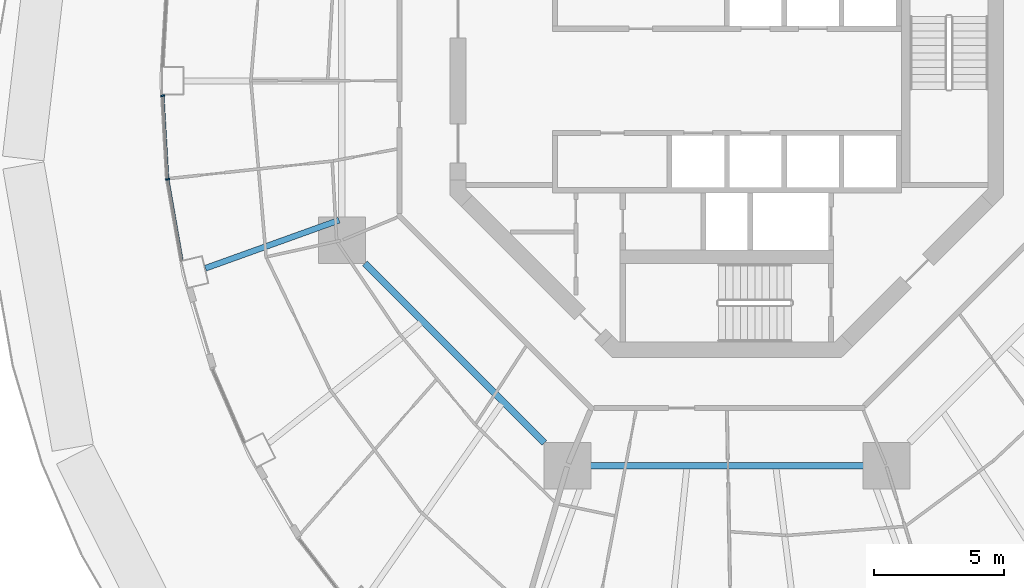
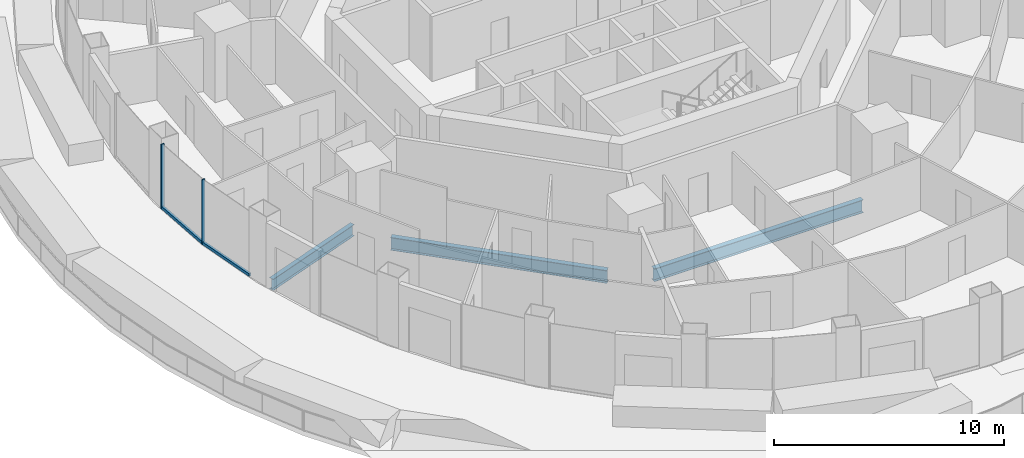
# One storey, part 3 of 20: 4 members, 3 beams, 2 elements without a shape of their own.
"""IFC4 building model written with IfcOpenShell, lengths in metres."""

import ifcopenshell
import ifcopenshell.guid

model = None  # the IFC model being written
_history = None  # IfcOwnerHistory: only IFC2X3 demands one
_inside = {}  # id of a spatial element -> (the spatial element, [elements in it])
_under = {}  # id of a project, library or spatial element -> (it, [spatial elements below it])
_declared = {}  # id of a project -> (the project, [libraries it declares])
_typed = {}  # id of a type object -> (the type object, [elements of that type])
_made_of = {}  # id of a material, layer set ... -> (it, [elements and type objects made of it])


def new_model(schema):
    """Start an empty IFC model of exactly this schema.

    Asked for "IFC4X3", IfcOpenShell would pick the latest addendum, in which some entities
    have other attributes; the version numbers below select the first issue.
    IFC2X3 requires an IfcOwnerHistory on every rooted entity: one is made here for all.
    """
    global model, _history
    if schema == "IFC4X3":
        model = ifcopenshell.file(schema_version=(4, 3, 0, 0))
    else:
        model = ifcopenshell.file(schema=schema)
    _inside.clear()
    _under.clear()
    _declared.clear()
    _typed.clear()
    _made_of.clear()
    _history = None
    if model.schema == "IFC2X3":
        org = make("IfcOrganization", Name="unknown")
        user = make(
            "IfcPersonAndOrganization",
            ThePerson=make("IfcPerson", FamilyName="unknown"),
            TheOrganization=org,
        )
        app = make(
            "IfcApplication",
            ApplicationDeveloper=org,
            Version="unknown",
            ApplicationFullName="unknown",
            ApplicationIdentifier="unknown",
        )
        _history = make(
            "IfcOwnerHistory",
            OwningUser=user,
            OwningApplication=app,
            ChangeAction="ADDED",
            CreationDate=0,
        )
    return model


def make(cls, **values):
    """One entity of the class cls with the attributes given. An attribute that is None is left unset."""
    return model.create_entity(
        cls, **{name: value for name, value in values.items() if value is not None}
    )


def rooted(cls, **values):
    """An entity with a GlobalId (a new one), such as an element, a storey or a relation."""
    return make(cls, GlobalId=ifcopenshell.guid.new(), OwnerHistory=_history, **values)


def si_unit(unit_type, name, prefix=None):
    """IfcSIUnit, for example si_unit("LENGTHUNIT", "METRE", prefix="MILLI")."""
    return make("IfcSIUnit", UnitType=unit_type, Prefix=prefix, Name=name)


def assignment(units):
    """IfcUnitAssignment: the units of a project."""
    return None if units is None else make("IfcUnitAssignment", Units=units)


def point(xyz):
    """IfcCartesianPoint."""
    return None if xyz is None else make("IfcCartesianPoint", Coordinates=xyz)


def direction(xyz):
    """IfcDirection."""
    return None if xyz is None else make("IfcDirection", DirectionRatios=xyz)


def frame(location, z_axis=None, x_axis=None):
    """IfcAxis2Placement3D, a coordinate frame: its origin and axes. An axis left out is left unset."""
    return make(
        "IfcAxis2Placement3D",
        Location=point(location),
        Axis=direction(z_axis),
        RefDirection=direction(x_axis),
    )


def frame_2d(location, x_axis=None):
    """IfcAxis2Placement2D, a coordinate frame in the plane: its origin and x axis."""
    return make(
        "IfcAxis2Placement2D", Location=point(location), RefDirection=direction(x_axis)
    )


def origin():
    """The frame at (0, 0, 0) with its axes left unset."""
    return frame((0.0, 0.0, 0.0))


def origin_2d():
    """The frame at (0, 0) in the plane with its x axis left unset."""
    return frame_2d((0.0, 0.0))


def place(relative_to, where):
    """IfcLocalPlacement: puts the frame where relative to a parent placement (None: the world)."""
    return make(
        "IfcLocalPlacement", PlacementRelTo=relative_to, RelativePlacement=where
    )


def context(
    kind, dimensions, precision=None, world=None, true_north=None, identifier=None
):
    """IfcGeometricRepresentationContext, for example the 3D "Model" context."""
    return make(
        "IfcGeometricRepresentationContext",
        ContextIdentifier=identifier,
        ContextType=kind,
        CoordinateSpaceDimension=dimensions,
        Precision=precision,
        WorldCoordinateSystem=world,
        TrueNorth=true_north,
    )


def subcontext(parent, identifier, kind, view, scale=None):
    """IfcGeometricRepresentationSubContext, for example "Body" below "Model"."""
    return make(
        "IfcGeometricRepresentationSubContext",
        ContextIdentifier=identifier,
        ContextType=kind,
        ParentContext=parent,
        TargetScale=scale,
        TargetView=view,
    )


def project(units=None, contexts=None):
    """IfcProject with its units and contexts."""
    return rooted(
        "IfcProject",
        Name="project",
        RepresentationContexts=contexts,
        UnitsInContext=assignment(units),
    )


def spatial(cls, under=None, at=None, **own):
    """A site, building, storey or space (cls), placed at a placement, below another one or the project."""
    s = rooted(cls, ObjectPlacement=at, **own)
    if under is not None:
        _under.setdefault(under.id(), (under, []))[1].append(s)
    return s


def profile(cls, at=None, kind="AREA", **sizes):
    """A parametric profile (cls). Its sizes go by their IFC names, for example OverallWidth=200.0."""
    return make(cls, ProfileType=kind, Position=at, **sizes)


def rectangle(**sizes):
    """IfcRectangleProfileDef."""
    return profile("IfcRectangleProfileDef", **sizes)


def i_section(**sizes):
    """IfcIShapeProfileDef."""
    return profile("IfcIShapeProfileDef", **sizes)


def extrude(swept, where, along, depth):
    """IfcExtrudedAreaSolid: the profile swept, set in the frame where, extruded along a direction by depth."""
    return make(
        "IfcExtrudedAreaSolid",
        SweptArea=swept,
        Position=where,
        ExtrudedDirection=direction(along),
        Depth=depth,
    )


def shape(context_of_items, identifier, shape_type, items):
    """IfcShapeRepresentation: the items that make up one representation, for example the "Body"."""
    return make(
        "IfcShapeRepresentation",
        ContextOfItems=context_of_items,
        RepresentationIdentifier=identifier,
        RepresentationType=shape_type,
        Items=items,
    )


def material(Name=None, Category=None):
    """IfcMaterial."""
    return make("IfcMaterial", Name=Name, Category=Category)


def layer(
    of_material, thickness, ventilated=None, Name=None, Category=None, Priority=None
):
    """IfcMaterialLayer: one layer of a wall or slab, of a material (None: an air gap)."""
    return make(
        "IfcMaterialLayer",
        Material=of_material,
        LayerThickness=thickness,
        IsVentilated=ventilated,
        Name=Name,
        Category=Category,
        Priority=Priority,
    )


def layer_set(layers, Name=None):
    """IfcMaterialLayerSet."""
    return make("IfcMaterialLayerSet", MaterialLayers=layers, LayerSetName=Name)


def material_profile(
    of_material, cross_section, Name=None, Category=None, Priority=None
):
    """IfcMaterialProfile: a cross section and its material."""
    return make(
        "IfcMaterialProfile",
        Name=Name,
        Material=of_material,
        Profile=cross_section,
        Priority=Priority,
        Category=Category,
    )


def profile_set(profiles, Name=None, composite=None):
    """IfcMaterialProfileSet."""
    return make(
        "IfcMaterialProfileSet",
        Name=Name,
        MaterialProfiles=profiles,
        CompositeProfile=composite,
    )


def made_of(thing, what):
    """Note that an element or type object is made of a material, layer set ...; save() writes the relation."""
    if what is not None:
        _made_of.setdefault(what.id(), (what, []))[1].append(thing)
    return thing


def type_object(cls, material=None, **own):
    """A type object (cls), such as IfcWallType, which elements share."""
    return made_of(rooted(cls, **own), material)


def element(
    cls,
    number,
    at=None,
    inside=None,
    cuts=None,
    type_object=None,
    material=None,
    context=None,
    identifier="Body",
    shape_type=None,
    held_by="IfcProductDefinitionShape",
    body=None,
    shapes=None,
    **own,
):
    """One element of the class cls, such as IfcWall. Its Tag is "e" and its number.

    at: its placement. inside: the storey or other place that contains it. cuts: it is an
    opening in that element (IfcRelVoidsElement). A single representation is given by context,
    identifier, shape_type and body (its items); several are given by shapes. held_by: the class
    of the entity that holds the representations. save() writes the other relations.
    """
    e = rooted(cls, Tag="e%d" % number, ObjectPlacement=at, **own)
    if body is not None:
        shapes = [shape(context, identifier, shape_type, body)]
    if shapes is not None:
        e.Representation = make(held_by, Representations=shapes)
    if inside is not None:
        _inside.setdefault(inside.id(), (inside, []))[1].append(e)
    if cuts is not None:
        rooted(
            "IfcRelVoidsElement", RelatingBuildingElement=cuts, RelatedOpeningElement=e
        )
    if type_object is not None:
        _typed.setdefault(type_object.id(), (type_object, []))[1].append(e)
    return made_of(e, material)


def aggregate(whole, parts):
    """IfcRelAggregates: a whole, such as a stair, and the parts it consists of."""
    return rooted("IfcRelAggregates", RelatingObject=whole, RelatedObjects=parts)


def save(model, path):
    """Write the relations noted so far, then the file.

    IfcRelAggregates (storeys below a building ...), IfcRelContainedInSpatialStructure (elements
    in a storey), IfcRelDefinesByType, IfcRelAssociatesMaterial and IfcRelDeclares: one each for
    every whole, place, type object, material and project.
    """
    for whole, parts in _under.values():
        aggregate(whole, parts)
    for where, things in _inside.values():
        rooted(
            "IfcRelContainedInSpatialStructure",
            RelatedElements=things,
            RelatingStructure=where,
        )
    for kind, things in _typed.values():
        rooted("IfcRelDefinesByType", RelatedObjects=things, RelatingType=kind)
    for what, things in _made_of.values():
        rooted("IfcRelAssociatesMaterial", RelatedObjects=things, RelatingMaterial=what)
    for by, libraries in _declared.values():
        rooted("IfcRelDeclares", RelatingContext=by, RelatedDefinitions=libraries)
    model.write(path)


model = new_model("IFC4")

# Units and contexts
model_context = context("Model", 3, precision=1e-05, world=origin(), true_north=direction((0.0, 1.0)))
body_context = subcontext(model_context, "Body", "Model", "MODEL_VIEW")
ifc_project = project(units=[si_unit("LENGTHUNIT", "METRE"), si_unit("AREAUNIT", "SQUARE_METRE"), si_unit("VOLUMEUNIT", "CUBIC_METRE"), si_unit("PLANEANGLEUNIT", "RADIAN"), si_unit("MASSUNIT", "GRAM", prefix="KILO")], contexts=[model_context])

# Site, building, storey
site_placement = place(None, origin())
site = spatial("IfcSite", under=ifc_project, at=site_placement, CompositionType="ELEMENT")
building_placement = place(site_placement, origin())
building = spatial("IfcBuilding", under=site, at=building_placement, Name="Nagisa Residences", CompositionType="ELEMENT")
storey_placement = place(building_placement, frame((0.0, 0.0, 165.89990234375)))
storey = spatial("IfcBuildingStorey", under=building, at=storey_placement, Name="L41", CompositionType="ELEMENT", Elevation=165.89990234375)

# Curtain wall, member
ifc_material_1 = material(Name="Concrete-coloured aluminium curtain wall system", Category="concrete")
ifc_layer = layer(ifc_material_1, 0.159912109375)
ifc_layer_set = layer_set([ifc_layer], Name="CW1 CURTAIN WALL")
curtain_wall_type = type_object("IfcCurtainWallType", Name="CW1 CURTAIN WALL", PredefinedType="NOTDEFINED", material=ifc_layer_set)
curtain_wall_1_placement = place(storey_placement, origin())
curtain_wall_1 = element("IfcCurtainWall", 1, at=curtain_wall_1_placement, inside=storey, type_object=curtain_wall_type, Name="cw:CW1:L41:24", PredefinedType="NOTDEFINED")
ifc_material_2 = material(Name="Concrete-coloured aluminium", Category="concrete")
ifc_material_profile_1 = material_profile(ifc_material_2, rectangle(XDim=0.159912109375, YDim=0.06005859375, at=origin_2d()), Name="CW1 MULLION 160x60")
ifc_profile_set_1 = profile_set([ifc_material_profile_1], Name="Concrete-coloured aluminium")
member_type_1 = type_object("IfcMemberType", Name="CW1 MULLION 160x60", PredefinedType="MULLION", material=ifc_profile_set_1)
member_1_placement = place(storey_placement, frame((-21.661865234375, -0.574462890625, 0.0), z_axis=(0.0, 0.0, 1.0), x_axis=(0.998345305184, 0.057503492216, 0.0)))
member_1 = element("IfcMember", 2, at=member_1_placement, type_object=member_type_1, Name="CW1 mullion", PredefinedType="MULLION", context=body_context, shape_type="SweptSolid", body=[
    extrude(rectangle(XDim=0.159912109375, YDim=0.06005859375, at=origin_2d()), origin(), (0.0, 0.0, 1.0), 3.440185546875),
])

curtain_wall_2_placement = place(storey_placement, origin())
curtain_wall_2 = element("IfcCurtainWall", 3, at=curtain_wall_2_placement, inside=storey, type_object=curtain_wall_type, Name="cw:CW1:L41:25", PredefinedType="NOTDEFINED")
member_2_placement = place(storey_placement, frame((-21.473876953125, -3.78466796875, 0.0), z_axis=(0.0, 0.0, 1.0), x_axis=(0.985063604377, 0.172190868898, 0.0)))
member_2 = element("IfcMember", 4, at=member_2_placement, type_object=member_type_1, Name="CW1 mullion", PredefinedType="MULLION", context=body_context, shape_type="SweptSolid", body=[
    extrude(rectangle(XDim=0.159912109375, YDim=0.06005859375, at=origin_2d()), origin(), (0.0, 0.0, 1.0), 3.440185546875),
])

# Member
ifc_material_3 = material(Name="Concrete-coloured aluminium", Category="concrete")
ifc_material_profile_2 = material_profile(ifc_material_3, rectangle(XDim=0.1201171875, YDim=0.14990234375, at=origin_2d()), Name="CW1 TRANSOM 120x150")
ifc_profile_set_2 = profile_set([ifc_material_profile_2], Name="Concrete-coloured aluminium")
member_type_2 = type_object("IfcMemberType", Name="CW1 TRANSOM 120x150", PredefinedType="USERDEFINED", material=ifc_profile_set_2)
member_3_placement = place(storey_placement, frame((-21.66357421875, -0.54443359375, 0.0751953125), z_axis=(0.057528345118, -0.998343873376, 0.0), x_axis=(0.998343873376, 0.057528345118, 0.0)))
member_3 = element("IfcMember", 5, at=member_3_placement, type_object=member_type_2, Name="CW1 transom", ObjectType="TRANSOM", PredefinedType="USERDEFINED", context=body_context, shape_type="SweptSolid", body=[
    extrude(rectangle(XDim=0.1201171875, YDim=0.14990234375, at=origin_2d()), origin(), (0.0, 0.0, 1.0), 3.225341796875),
])

aggregate(curtain_wall_1, [member_1, member_3])

member_4_placement = place(storey_placement, frame((-21.47900390625, -3.755126953125, 0.0751953125), z_axis=(0.172162664901, -0.98506853407, 0.0), x_axis=(0.98506853407, 0.172162664901, 0.0)))
member_4 = element("IfcMember", 6, at=member_4_placement, type_object=member_type_2, Name="CW1 transom", ObjectType="TRANSOM", PredefinedType="USERDEFINED", context=body_context, shape_type="SweptSolid", body=[
    extrude(rectangle(XDim=0.1201171875, YDim=0.14990234375, at=origin_2d()), origin(), (0.0, 0.0, 1.0), 3.21044921875),
])

aggregate(curtain_wall_2, [member_2, member_4])

# Beams
ifc_material_4 = material(Name="Steel ASTM A572 Gr 50", Category="steel")
ifc_material_profile_3 = material_profile(ifc_material_4, i_section(OverallWidth=0.25390625, OverallDepth=0.68408203125, WebThickness=0.012451171875, FlangeThickness=0.018798828125, at=origin_2d()), Name="W690x140")
ifc_profile_set_3 = profile_set([ifc_material_profile_3], Name="Steel ASTM A572 Gr 50")
beam_type_1 = type_object("IfcBeamType", Name="Inner ring beam W690x140", PredefinedType="BEAM", material=ifc_profile_set_3)
beam_1_placement = place(storey_placement, frame((-13.896240234375, -7.0087890625, -0.601806640625), z_axis=(0.707106781187, -0.707106781187, 0.0), x_axis=(0.707106781187, 0.707106781187, 0.0)))
element("IfcBeam", 7, at=beam_1_placement, inside=storey, type_object=beam_type_1, Name="beam:L41:ib5", PredefinedType="BEAM", context=body_context, shape_type="SweptSolid", body=[
    extrude(i_section(OverallWidth=0.25390625, OverallDepth=0.68408203125, WebThickness=0.012451171875, FlangeThickness=0.018798828125, at=origin_2d()), origin(), (0.0, 0.0, 1.0), 9.740234375),
])
beam_2_placement = place(storey_placement, frame((-5.242919921875, -14.781982421875, -0.601806640625), z_axis=(1.0, 0.0, 0.0), x_axis=(0.0, 1.0, 0.0)))
element("IfcBeam", 8, at=beam_2_placement, inside=storey, type_object=beam_type_1, Name="beam:L41:ib6", PredefinedType="BEAM", context=body_context, shape_type="SweptSolid", body=[
    extrude(i_section(OverallWidth=0.25390625, OverallDepth=0.68408203125, WebThickness=0.012451171875, FlangeThickness=0.018798828125, at=origin_2d()), origin(), (0.0, 0.0, 1.0), 10.48583984375),
])
ifc_material_5 = material(Name="Steel ASTM A572 Gr 50", Category="steel")
ifc_material_profile_4 = material_profile(ifc_material_5, i_section(OverallWidth=0.22802734375, OverallDepth=0.60302734375, WebThickness=0.010498046875, FlangeThickness=0.014892578125, at=origin_2d()), Name="W610x101")
ifc_profile_set_4 = profile_set([ifc_material_profile_4], Name="Steel ASTM A572 Gr 50")
beam_type_2 = type_object("IfcBeamType", Name="Radial beam W610x101", PredefinedType="BEAM", material=ifc_profile_set_4)
beam_3_placement = place(storey_placement, frame((-20.02001953125, -7.197509765625, -0.5615234375), z_axis=(0.941034620522, 0.338310276196, 0.0), x_axis=(-0.338310276196, 0.941034620522, 0.0)))
element("IfcBeam", 9, at=beam_3_placement, inside=storey, type_object=beam_type_2, Name="beam:L41:rb14", PredefinedType="BEAM", context=body_context, shape_type="SweptSolid", body=[
    extrude(i_section(OverallWidth=0.22802734375, OverallDepth=0.60302734375, WebThickness=0.010498046875, FlangeThickness=0.014892578125, at=origin_2d()), origin(), (0.0, 0.0, 1.0), 5.451416015625),
])

save(model, "model.ifc")
